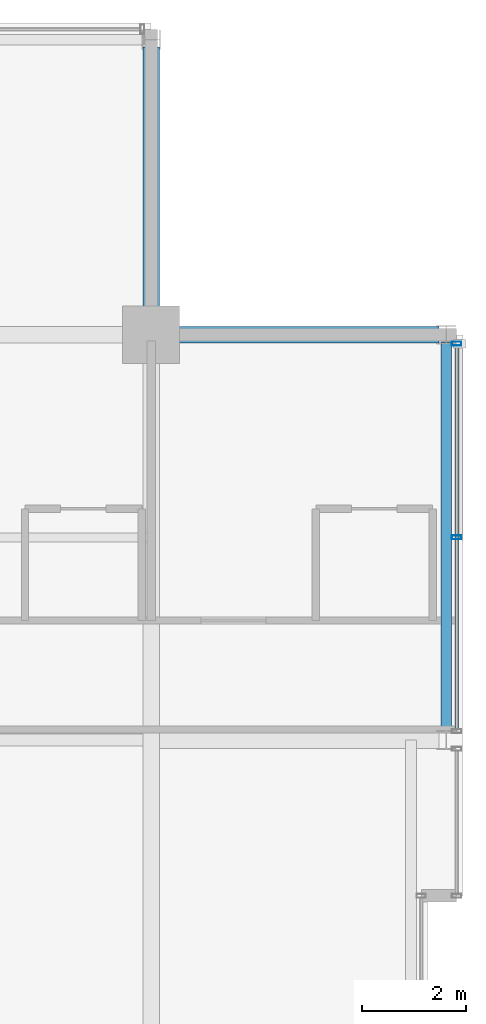
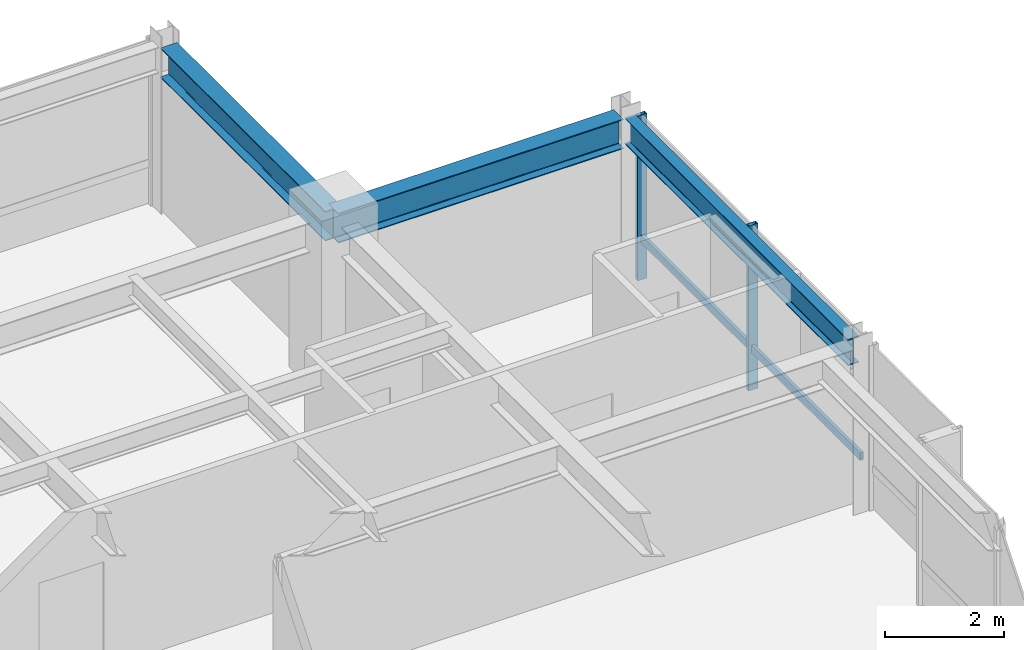
# One storey, part 25 of 33: 3 beams, 3 members, 1 element without a shape of its own.
"""IFC4 building model written with IfcOpenShell, lengths in metres."""

from ifc_helpers import new_model, si_unit, direction, frame, origin, origin_2d, place, context, subcontext, project, spatial, hollow_rectangle, i_section, extrude, material, layer, layer_set, material_profile, profile_set, type_object, element, aggregate, save


model = new_model("IFC4")

# Units and contexts
model_context = context("Model", 3, precision=1e-05, world=origin(), true_north=direction((0.0, 1.0)))
body_context = subcontext(model_context, "Body", "Model", "MODEL_VIEW")
ifc_project = project(units=[si_unit("LENGTHUNIT", "METRE"), si_unit("AREAUNIT", "SQUARE_METRE"), si_unit("VOLUMEUNIT", "CUBIC_METRE"), si_unit("PLANEANGLEUNIT", "RADIAN"), si_unit("MASSUNIT", "GRAM", prefix="KILO")], contexts=[model_context])

# Site, building, storey
site_placement = place(None, origin())
site = spatial("IfcSite", under=ifc_project, at=site_placement, CompositionType="ELEMENT")
building_placement = place(site_placement, origin())
building = spatial("IfcBuilding", under=site, at=building_placement, Name="Drelvath Grand Hotel", CompositionType="ELEMENT")
storey_placement = place(building_placement, frame((0.0, 0.0, 275.949951171875)))
storey = spatial("IfcBuildingStorey", under=building, at=storey_placement, Name="L72", CompositionType="ELEMENT", Elevation=275.949951171875)

# Curtain wall, members
ifc_material_1 = material(Name="Platinum-Mist Anodised Aluminium Frame", Category="aluminium")
ifc_layer = layer(ifc_material_1, 0.199951171875)
ifc_layer_set = layer_set([ifc_layer], Name="Platinum-Mist Anodised Aluminium Frame")
curtain_wall_type = type_object("IfcCurtainWallType", Name="Stick Curtain Wall CW-05 Platinum Mist High-Rise", PredefinedType="NOTDEFINED", material=ifc_layer_set)
curtain_wall_placement = place(storey_placement, origin())
curtain_wall = element("IfcCurtainWall", 1, at=curtain_wall_placement, inside=storey, type_object=curtain_wall_type, Name="L72 CW-05 Curtain Wall CW05-L72-EN2", PredefinedType="NOTDEFINED")
ifc_material_profile_1 = material_profile(ifc_material_1, hollow_rectangle(XDim=0.06494140625, YDim=0.159912109375, WallThickness=0.00390625, at=origin_2d()), Name="HSS160X65X4")
ifc_profile_set_1 = profile_set([ifc_material_profile_1], Name="Platinum-Mist Anodised Aluminium Frame")
member_type_1 = type_object("IfcMemberType", Name="Curtain Wall Horizontal Transom CW-05 HSS160X65X4", PredefinedType="USERDEFINED", material=ifc_profile_set_1)
member_1_placement = place(storey_placement, frame((22.080078125, 42.989990234375, 0.84765625), z_axis=(0.0, -1.0, 0.0), x_axis=(1.0, 0.0, 0.0)))
member_1 = element("IfcMember", 2, at=member_1_placement, type_object=member_type_1, Name="CW05-L72-EN2 Sill Transom", ObjectType="TRANSOM", PredefinedType="USERDEFINED", context=body_context, shape_type="SweptSolid", body=[
    extrude(hollow_rectangle(XDim=0.06494140625, YDim=0.159912109375, WallThickness=0.00390625, at=origin_2d()), origin(), (0.0, 0.0, 1.0), 7.3798828125),
])
ifc_material_profile_2 = material_profile(ifc_material_1, hollow_rectangle(XDim=0.074951171875, YDim=0.179931640625, WallThickness=0.0048828125, at=origin_2d()), Name="HSS180X75X5")
ifc_profile_set_2 = profile_set([ifc_material_profile_2], Name="Platinum-Mist Anodised Aluminium Frame")
member_type_2 = type_object("IfcMemberType", Name="Curtain Wall Vertical Mullion CW-05 HSS180X75X5", PredefinedType="MULLION", material=ifc_profile_set_2)
member_2_placement = place(storey_placement, frame((22.080078125, 43.030029296875, 0.0), z_axis=(0.0, 0.0, 1.0), x_axis=(0.0, 1.0, 0.0)))
member_2 = element("IfcMember", 3, at=member_2_placement, type_object=member_type_2, Name="CW05-L72-EN2 Mullion 1", PredefinedType="MULLION", context=body_context, shape_type="SweptSolid", body=[
    extrude(hollow_rectangle(XDim=0.074951171875, YDim=0.179931640625, WallThickness=0.0048828125, at=origin_2d()), origin(), (0.0, 0.0, 1.0), 3.39013671875),
])
member_3_placement = place(storey_placement, frame((22.080078125, 39.300048828125, 0.0), z_axis=(0.0, 0.0, 1.0), x_axis=(0.0, 1.0, 0.0)))
member_3 = element("IfcMember", 4, at=member_3_placement, type_object=member_type_2, Name="CW05-L72-EN2 Mullion 2", PredefinedType="MULLION", context=body_context, shape_type="SweptSolid", body=[
    extrude(hollow_rectangle(XDim=0.074951171875, YDim=0.179931640625, WallThickness=0.0048828125, at=origin_2d()), origin(), (0.0, 0.0, 1.0), 3.39013671875),
])
aggregate(curtain_wall, [member_2, member_3, member_1])

# Beams
ifc_material_2 = material(Name="Steel ASTM A992 Gr 50", Category="steel")
ifc_material_profile_3 = material_profile(ifc_material_2, i_section(OverallWidth=0.210205078125, OverallDepth=0.53662109375, WebThickness=0.010986328125, FlangeThickness=0.017333984375, FilletRadius=0.01806640625, at=origin_2d()), Name="W21X68")
ifc_profile_set_3 = profile_set([ifc_material_profile_3], Name="Steel ASTM A992 Gr 50")
beam_type_1 = type_object("IfcBeamType", Name="Perimeter Spandrel Beam W21X68", PredefinedType="SPANDREL", material=ifc_profile_set_3)
beam_placement = place(storey_placement, frame((21.8798828125, 35.5400390625, 3.12158203125), z_axis=(0.0, 1.0, 0.0), x_axis=(-1.0, 0.0, 0.0)))
element("IfcBeam", 5, at=beam_placement, inside=storey, type_object=beam_type_1, Name="L72 Spandrel East N", PredefinedType="SPANDREL", context=body_context, shape_type="SweptSolid", body=[
    extrude(i_section(OverallWidth=0.210205078125, OverallDepth=0.53662109375, WebThickness=0.010986328125, FlangeThickness=0.017333984375, FilletRadius=0.01806640625, at=origin_2d()), origin(), (0.0, 0.0, 1.0), 7.52001953125),
])
ifc_material_profile_4 = material_profile(ifc_material_2, i_section(OverallWidth=0.323974609375, OverallDepth=0.611083984375, WebThickness=0.0126953125, FlangeThickness=0.01904296875, FilletRadius=0.02197265625, at=origin_2d()), Name="W24X104")
ifc_profile_set_4 = profile_set([ifc_material_profile_4], Name="Steel ASTM A992 Gr 50")
beam_type_2 = type_object("IfcBeamType", Name="Primary Floor Girder W24X104", PredefinedType="BEAM", material=ifc_profile_set_4)
for number, where, z_axis, x_axis, name in (
    (6, (16.199951171875, 43.199951171875, 3.08447265625), (1.0, 0.0, 0.0), (0.0, 1.0, 0.0), "L72 East Grid Girder G"),
    (7, (16.199951171875, 43.199951171875, 3.08447265625), (0.0, 1.0, 0.0), (-1.0, 0.0, 0.0), "L72 North Grid Girder 7"),
):
    element("IfcBeam", number, at=place(storey_placement, frame(where, z_axis=z_axis, x_axis=x_axis)), inside=storey, type_object=beam_type_2, Name=name, PredefinedType="BEAM", context=body_context, shape_type="SweptSolid", body=[
        extrude(i_section(OverallWidth=0.323974609375, OverallDepth=0.611083984375, WebThickness=0.0126953125, FlangeThickness=0.01904296875, FilletRadius=0.02197265625, at=origin_2d()), origin(), (0.0, 0.0, 1.0), 5.5400390625),
    ])

save(model, "model.ifc")
